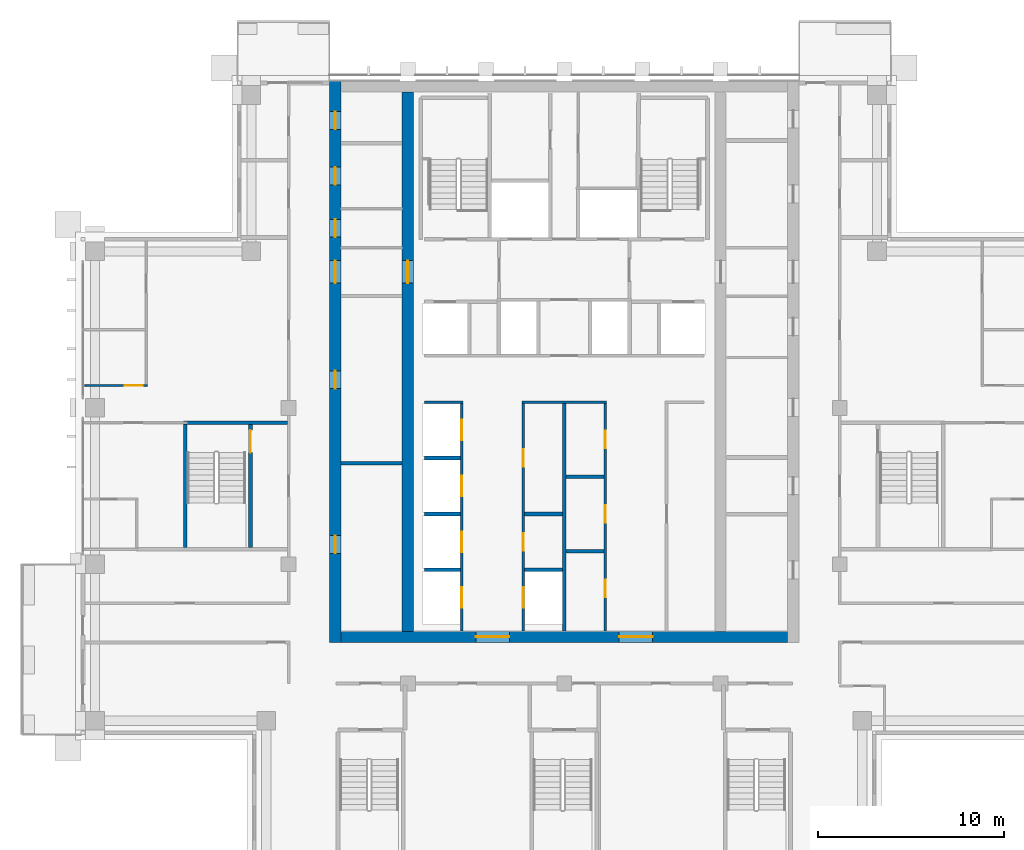
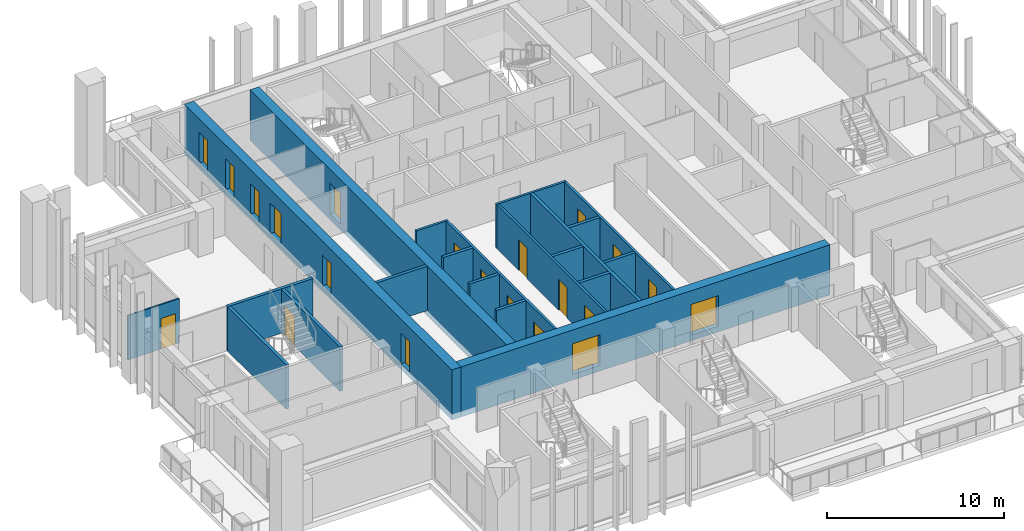
# One storey, part 9 of 18: 21 doors, 21 walls, 21 openings.
"""IFC4 building model written with IfcOpenShell, lengths in metres."""

from ifc_helpers import new_model, si_unit, direction, frame, frame_2d, origin, place, context, subcontext, project, spatial, rectangle, extrude, material, layer, layer_set, type_object, element, fill, save


model = new_model("IFC4")

# Units and contexts
model_context = context("Model", 3, precision=1e-05, world=origin(), true_north=direction((0.0, 1.0)))
body_context = subcontext(model_context, "Body", "Model", "MODEL_VIEW")
ifc_project = project(units=[si_unit("LENGTHUNIT", "METRE"), si_unit("AREAUNIT", "SQUARE_METRE"), si_unit("VOLUMEUNIT", "CUBIC_METRE"), si_unit("PLANEANGLEUNIT", "RADIAN"), si_unit("MASSUNIT", "GRAM", prefix="KILO")], contexts=[model_context])

# Site, building, storey
site_placement = place(None, origin())
site = spatial("IfcSite", under=ifc_project, at=site_placement, CompositionType="ELEMENT")
building_placement = place(site_placement, origin())
building = spatial("IfcBuilding", under=site, at=building_placement, Name="Vermilion Ogive Tower", CompositionType="ELEMENT")
storey_placement = place(building_placement, frame((0.0, 0.0, 185.89990234375)))
storey = spatial("IfcBuildingStorey", under=building, at=storey_placement, Name="L48", CompositionType="ELEMENT", Elevation=185.89990234375)

# Wall, openings, doors
ifc_material_1 = material(Name="Concrete B60", Category="concrete")
ifc_layer_1 = layer(ifc_material_1, 0.60009765625)
ifc_layer_set_1 = layer_set([ifc_layer_1], Name="Core wall 600 B60")
wall_type_1 = type_object("IfcWallType", Name="Core wall 600 B60", PredefinedType="SHEAR", material=ifc_layer_set_1)
wall_1_placement = place(storey_placement, frame((-12.300048828125, -8.39990234375, -0.39990234375), z_axis=(0.0, 0.0, 1.0), x_axis=(0.0, 1.0, 0.0)))
wall_1 = element("IfcWall", 1, at=wall_1_placement, inside=storey, type_object=wall_type_1, Name="L48-CORE-W", PredefinedType="SHEAR", context=body_context, shape_type="SweptSolid", body=[
    extrude(rectangle(XDim=30.14990234375, YDim=0.60009765625, at=frame_2d((15.074951171875, 0.0))), origin(), (0.0, 0.0, 1.0), 3.449951171875),
])
opening_1_placement = place(wall_1_placement, frame((4.78759765625, 0.0, 0.39990234375)))
opening_1 = element("IfcOpeningElement", 2, at=opening_1_placement, cuts=wall_1, Name="Opening DAD073", PredefinedType="OPENING", context=body_context, shape_type="SweptSolid", body=[
    extrude(rectangle(XDim=0.949951171875, YDim=2.10009765625, at=frame_2d((0.47509765625, 1.050048828125))), frame((0.0, 0.31005859375, 0.0), z_axis=(0.0, -1.0, 0.0), x_axis=(1.0, 0.0, 0.0)), (0.0, 0.0, 1.0), 0.6201171875),
])
opening_2_placement = place(wall_1_placement, frame((13.6376953125, 0.0, 0.39990234375)))
opening_2 = element("IfcOpeningElement", 3, at=opening_2_placement, cuts=wall_1, Name="Opening DAD074", PredefinedType="OPENING", context=body_context, shape_type="SweptSolid", body=[
    extrude(rectangle(XDim=0.949951171875, YDim=2.10009765625, at=frame_2d((0.47509765625, 1.050048828125))), frame((0.0, 0.31005859375, 0.0), z_axis=(0.0, -1.0, 0.0), x_axis=(1.0, 0.0, 0.0)), (0.0, 0.0, 1.0), 0.6201171875),
])
opening_3_placement = place(wall_1_placement, frame((21.7705078125, 0.0, 0.39990234375)))
opening_3 = element("IfcOpeningElement", 4, at=opening_3_placement, cuts=wall_1, Name="Opening DAD075", PredefinedType="OPENING", context=body_context, shape_type="SweptSolid", body=[
    extrude(rectangle(XDim=0.949951171875, YDim=2.10009765625, at=frame_2d((0.47509765625, 1.050048828125))), frame((0.0, 0.31005859375, 0.0), z_axis=(0.0, -1.0, 0.0), x_axis=(1.0, 0.0, 0.0)), (0.0, 0.0, 1.0), 0.6201171875),
])
opening_4_placement = place(wall_1_placement, frame((24.57568359375, 0.0, 0.39990234375)))
opening_4 = element("IfcOpeningElement", 5, at=opening_4_placement, cuts=wall_1, Name="Opening DAD076", PredefinedType="OPENING", context=body_context, shape_type="SweptSolid", body=[
    extrude(rectangle(XDim=0.949951171875, YDim=2.10009765625, at=frame_2d((0.47509765625, 1.050048828125))), frame((0.0, 0.31005859375, 0.0), z_axis=(0.0, -1.0, 0.0), x_axis=(1.0, 0.0, 0.0)), (0.0, 0.0, 1.0), 0.6201171875),
])
opening_5_placement = place(wall_1_placement, frame((27.555419921875, 0.0, 0.39990234375)))
opening_5 = element("IfcOpeningElement", 6, at=opening_5_placement, cuts=wall_1, Name="Opening DAD077", PredefinedType="OPENING", context=body_context, shape_type="SweptSolid", body=[
    extrude(rectangle(XDim=0.949951171875, YDim=2.10009765625, at=frame_2d((0.47509765625, 1.050048828125))), frame((0.0, 0.31005859375, 0.0), z_axis=(0.0, -1.0, 0.0), x_axis=(1.0, 0.0, 0.0)), (0.0, 0.0, 1.0), 0.6201171875),
])
opening_6_placement = place(wall_1_placement, frame((19.300048828125, 0.0, 0.39990234375)))
opening_6 = element("IfcOpeningElement", 7, at=opening_6_placement, cuts=wall_1, Name="Opening DAM019", PredefinedType="OPENING", context=body_context, shape_type="SweptSolid", body=[
    extrude(rectangle(XDim=1.199951171875, YDim=2.10009765625, at=frame_2d((0.60009765625, 1.050048828125))), frame((0.0, 0.31005859375, 0.0), z_axis=(0.0, -1.0, 0.0), x_axis=(1.0, 0.0, 0.0)), (0.0, 0.0, 1.0), 0.6201171875),
])
ifc_material_2 = material(Name="Timber door leaf", Category="wood")
door_type_1 = type_object("IfcDoorType", Name="Link door 1200 x 2100 FD60S", OperationType="SINGLE_SWING_LEFT", PredefinedType="DOOR", material=ifc_material_2)
door_1_placement = place(opening_6_placement, origin())
door_1 = element("IfcDoor", 8, at=door_1_placement, inside=storey, type_object=door_type_1, Name="L48-CKW-XL", OperationType="SINGLE_SWING_LEFT", OverallHeight=2.10009765625, OverallWidth=1.199951171875, PredefinedType="DOOR", context=body_context, shape_type="SweptSolid", body=[
    extrude(rectangle(XDim=1.199951171875, YDim=2.10009765625, at=frame_2d((0.60009765625, 1.050048828125))), frame((0.0, 0.02490234375, 0.0), z_axis=(0.0, -1.0, 0.0), x_axis=(1.0, 0.0, 0.0)), (0.0, 0.0, 1.0), 0.050048828125),
])
fill(opening_6, door_1)
ifc_material_3 = material(Name="Timber door leaf", Category="wood")
door_type_2 = type_object("IfcDoorType", Name="Service door 950 x 2100 FD60", OperationType="SINGLE_SWING_LEFT", PredefinedType="DOOR", material=ifc_material_3)
door_2_placement = place(opening_1_placement, origin())
door_2 = element("IfcDoor", 9, at=door_2_placement, inside=storey, type_object=door_type_2, Name="L48-CKW-XR0", OperationType="SINGLE_SWING_LEFT", OverallHeight=2.10009765625, OverallWidth=0.949951171875, PredefinedType="DOOR", context=body_context, shape_type="SweptSolid", body=[
    extrude(rectangle(XDim=0.949951171875, YDim=2.10009765625, at=frame_2d((0.47509765625, 1.050048828125))), frame((0.0, 0.02490234375, 0.0), z_axis=(0.0, -1.0, 0.0), x_axis=(1.0, 0.0, 0.0)), (0.0, 0.0, 1.0), 0.050048828125),
])
fill(opening_1, door_2)
door_3_placement = place(opening_2_placement, origin())
door_3 = element("IfcDoor", 10, at=door_3_placement, inside=storey, type_object=door_type_2, Name="L48-CKW-XR1", OperationType="SINGLE_SWING_LEFT", OverallHeight=2.10009765625, OverallWidth=0.949951171875, PredefinedType="DOOR", context=body_context, shape_type="SweptSolid", body=[
    extrude(rectangle(XDim=0.949951171875, YDim=2.10009765625, at=frame_2d((0.47509765625, 1.050048828125))), frame((0.0, 0.02490234375, 0.0), z_axis=(0.0, -1.0, 0.0), x_axis=(1.0, 0.0, 0.0)), (0.0, 0.0, 1.0), 0.050048828125),
])
fill(opening_2, door_3)
door_4_placement = place(opening_3_placement, origin())
door_4 = element("IfcDoor", 11, at=door_4_placement, inside=storey, type_object=door_type_2, Name="L48-CKW-XR2", OperationType="SINGLE_SWING_LEFT", OverallHeight=2.10009765625, OverallWidth=0.949951171875, PredefinedType="DOOR", context=body_context, shape_type="SweptSolid", body=[
    extrude(rectangle(XDim=0.949951171875, YDim=2.10009765625, at=frame_2d((0.47509765625, 1.050048828125))), frame((0.0, 0.02490234375, 0.0), z_axis=(0.0, -1.0, 0.0), x_axis=(1.0, 0.0, 0.0)), (0.0, 0.0, 1.0), 0.050048828125),
])
fill(opening_3, door_4)
door_5_placement = place(opening_4_placement, origin())
door_5 = element("IfcDoor", 12, at=door_5_placement, inside=storey, type_object=door_type_2, Name="L48-CKW-XR3", OperationType="SINGLE_SWING_LEFT", OverallHeight=2.10009765625, OverallWidth=0.949951171875, PredefinedType="DOOR", context=body_context, shape_type="SweptSolid", body=[
    extrude(rectangle(XDim=0.949951171875, YDim=2.10009765625, at=frame_2d((0.47509765625, 1.050048828125))), frame((0.0, 0.02490234375, 0.0), z_axis=(0.0, -1.0, 0.0), x_axis=(1.0, 0.0, 0.0)), (0.0, 0.0, 1.0), 0.050048828125),
])
fill(opening_4, door_5)
door_6_placement = place(opening_5_placement, origin())
door_6 = element("IfcDoor", 13, at=door_6_placement, inside=storey, type_object=door_type_2, Name="L48-CKW-XR4", OperationType="SINGLE_SWING_LEFT", OverallHeight=2.10009765625, OverallWidth=0.949951171875, PredefinedType="DOOR", context=body_context, shape_type="SweptSolid", body=[
    extrude(rectangle(XDim=0.949951171875, YDim=2.10009765625, at=frame_2d((0.47509765625, 1.050048828125))), frame((0.0, 0.02490234375, 0.0), z_axis=(0.0, -1.0, 0.0), x_axis=(1.0, 0.0, 0.0)), (0.0, 0.0, 1.0), 0.050048828125),
])
fill(opening_5, door_6)

wall_2_placement = place(storey_placement, frame((-12.0, -8.10009765625, -0.39990234375), z_axis=(0.0, 0.0, 1.0), x_axis=(1.0, 0.0, 0.0)))
wall_2 = element("IfcWall", 14, at=wall_2_placement, inside=storey, type_object=wall_type_1, Name="L48-CORE-S", PredefinedType="SHEAR", context=body_context, shape_type="SweptSolid", body=[
    extrude(rectangle(XDim=24.0, YDim=0.60009765625, at=frame_2d((12.0, 0.0))), origin(), (0.0, 0.0, 1.0), 3.449951171875),
])
opening_7_placement = place(wall_2_placement, frame((7.25, 0.0, 0.39990234375)))
opening_7 = element("IfcOpeningElement", 15, at=opening_7_placement, cuts=wall_2, Name="Opening DAH037", PredefinedType="OPENING", context=body_context, shape_type="SweptSolid", body=[
    extrude(rectangle(XDim=1.800048828125, YDim=2.10009765625, at=frame_2d((0.89990234375, 1.050048828125))), frame((0.0, 0.31005859375, 0.0), z_axis=(0.0, -1.0, 0.0), x_axis=(1.0, 0.0, 0.0)), (0.0, 0.0, 1.0), 0.6201171875),
])
opening_8_placement = place(wall_2_placement, frame((14.949951171875, 0.0, 0.39990234375)))
opening_8 = element("IfcOpeningElement", 16, at=opening_8_placement, cuts=wall_2, Name="Opening DAH038", PredefinedType="OPENING", context=body_context, shape_type="SweptSolid", body=[
    extrude(rectangle(XDim=1.800048828125, YDim=2.10009765625, at=frame_2d((0.89990234375, 1.050048828125))), frame((0.0, 0.31005859375, 0.0), z_axis=(0.0, -1.0, 0.0), x_axis=(1.0, 0.0, 0.0)), (0.0, 0.0, 1.0), 0.6201171875),
])
ifc_material_4 = material(Name="Timber door leaf", Category="wood")
door_type_3 = type_object("IfcDoorType", Name="Core entry door 1800 x 2100 FD60S", OperationType="DOUBLE_DOOR_SINGLE_SWING", PredefinedType="DOOR", material=ifc_material_4)
door_7_placement = place(opening_7_placement, origin())
door_7 = element("IfcDoor", 17, at=door_7_placement, inside=storey, type_object=door_type_3, Name="L48-CK-XD1", OperationType="SINGLE_SWING_LEFT", OverallHeight=2.10009765625, OverallWidth=1.800048828125, PredefinedType="DOOR", context=body_context, shape_type="SweptSolid", body=[
    extrude(rectangle(XDim=1.800048828125, YDim=2.10009765625, at=frame_2d((0.89990234375, 1.050048828125))), frame((0.0, 0.02490234375, 0.0), z_axis=(0.0, -1.0, 0.0), x_axis=(1.0, 0.0, 0.0)), (0.0, 0.0, 1.0), 0.050048828125),
])
fill(opening_7, door_7)
door_8_placement = place(opening_8_placement, origin())
door_8 = element("IfcDoor", 18, at=door_8_placement, inside=storey, type_object=door_type_3, Name="L48-CK-XD2", OperationType="SINGLE_SWING_LEFT", OverallHeight=2.10009765625, OverallWidth=1.800048828125, PredefinedType="DOOR", context=body_context, shape_type="SweptSolid", body=[
    extrude(rectangle(XDim=1.800048828125, YDim=2.10009765625, at=frame_2d((0.89990234375, 1.050048828125))), frame((0.0, 0.02490234375, 0.0), z_axis=(0.0, -1.0, 0.0), x_axis=(1.0, 0.0, 0.0)), (0.0, 0.0, 1.0), 0.050048828125),
])
fill(opening_8, door_8)

# Wall, opening, door
wall_3_placement = place(storey_placement, frame((-8.39990234375, -7.800048828125, -0.39990234375), z_axis=(0.0, 0.0, 1.0), x_axis=(0.0, 1.0, 0.0)))
wall_3 = element("IfcWall", 19, at=wall_3_placement, inside=storey, type_object=wall_type_1, Name="L48-CORE-WEB1", PredefinedType="SHEAR", context=body_context, shape_type="SweptSolid", body=[
    extrude(rectangle(XDim=28.949951171875, YDim=0.60009765625, at=frame_2d((14.47509765625, 0.0))), origin(), (0.0, 0.0, 1.0), 3.449951171875),
])
opening_9_placement = place(wall_3_placement, frame((18.699951171875, 0.0, 0.39990234375)))
opening_9 = element("IfcOpeningElement", 20, at=opening_9_placement, cuts=wall_3, Name="Opening DAP014", PredefinedType="OPENING", context=body_context, shape_type="SweptSolid", body=[
    extrude(rectangle(XDim=1.199951171875, YDim=2.10009765625, at=frame_2d((0.60009765625, 1.050048828125))), frame((0.0, 0.31005859375, 0.0), z_axis=(0.0, -1.0, 0.0), x_axis=(1.0, 0.0, 0.0)), (0.0, 0.0, 1.0), 0.6201171875),
])
door_9_placement = place(opening_9_placement, origin())
door_9 = element("IfcDoor", 21, at=door_9_placement, inside=storey, type_object=door_type_1, Name="L48-CKW-XW", OperationType="SINGLE_SWING_LEFT", OverallHeight=2.10009765625, OverallWidth=1.199951171875, PredefinedType="DOOR", context=body_context, shape_type="SweptSolid", body=[
    extrude(rectangle(XDim=1.199951171875, YDim=2.10009765625, at=frame_2d((0.60009765625, 1.050048828125))), frame((0.0, 0.02490234375, 0.0), z_axis=(0.0, -1.0, 0.0), x_axis=(1.0, 0.0, 0.0)), (0.0, 0.0, 1.0), 0.050048828125),
])
fill(opening_9, door_9)

ifc_material_5 = material(Name="Gypsum board partition on steel studs", Category="steel")
ifc_layer_2 = layer(ifc_material_5, 0.10009765625)
ifc_layer_set_2 = layer_set([ifc_layer_2], Name="Partition 100 inner")
wall_type_2 = type_object("IfcWallType", Name="Partition 100 inner", PredefinedType="PARTITIONING", material=ifc_layer_set_2)
wall_4_placement = place(storey_placement, frame((-25.75, 5.39990234375, 0.0), z_axis=(0.0, 0.0, 1.0), x_axis=(1.0, 0.0, 0.0)))
wall_4 = element("IfcWall", 22, at=wall_4_placement, inside=storey, type_object=wall_type_2, Name="L48-W-W021", PredefinedType="PARTITIONING", context=body_context, shape_type="SweptSolid", body=[
    extrude(rectangle(XDim=3.35009765625, YDim=0.10009765625, at=frame_2d((1.675048828125, 0.0))), origin(), (0.0, 0.0, 1.0), 3.050048828125),
])
opening_10_placement = place(wall_4_placement, frame((2.14990234375, 0.0, 0.0)))
opening_10 = element("IfcOpeningElement", 23, at=opening_10_placement, cuts=wall_4, Name="Opening D4G2002", PredefinedType="OPENING", context=body_context, shape_type="SweptSolid", body=[
    extrude(rectangle(XDim=0.949951171875, YDim=2.10009765625, at=frame_2d((0.47509765625, 1.050048828125))), frame((0.0, 0.06005859375, 0.0), z_axis=(0.0, -1.0, 0.0), x_axis=(1.0, 0.0, 0.0)), (0.0, 0.0, 1.0), 0.1201171875),
])
ifc_material_6 = material(Name="Timber door leaf", Category="wood")
door_type_4 = type_object("IfcDoorType", Name="Inner door 950 x 2100 FD30", OperationType="SINGLE_SWING_LEFT", PredefinedType="DOOR", material=ifc_material_6)
door_10_placement = place(opening_10_placement, origin())
door_10 = element("IfcDoor", 24, at=door_10_placement, inside=storey, type_object=door_type_4, Name="L48-D-D002", OperationType="SINGLE_SWING_RIGHT", OverallHeight=2.10009765625, OverallWidth=0.949951171875, PredefinedType="DOOR", context=body_context, shape_type="SweptSolid", body=[
    extrude(rectangle(XDim=0.949951171875, YDim=2.10009765625, at=frame_2d((0.47509765625, 1.050048828125))), frame((0.0, 0.02490234375, 0.0), z_axis=(0.0, -1.0, 0.0), x_axis=(1.0, 0.0, 0.0)), (0.0, 0.0, 1.0), 0.050048828125),
])
fill(opening_10, door_10)

# Walls
ifc_material_7 = material(Name="Gypsum board partition on steel studs", Category="steel")
ifc_layer_3 = layer(ifc_material_7, 0.14990234375)
ifc_layer_set_3 = layer_set([ifc_layer_3], Name="Partition 150 corridor")
wall_type_3 = type_object("IfcWallType", Name="Partition 150 corridor", PredefinedType="PARTITIONING", material=ifc_layer_set_3)
wall_5_placement = place(storey_placement, frame((-7.5, 4.5, 0.0), z_axis=(0.0, 0.0, 1.0), x_axis=(1.0, 0.0, 0.0)))
element("IfcWall", 25, at=wall_5_placement, inside=storey, type_object=wall_type_3, Name="L48-CK-W-W008", PredefinedType="PARTITIONING", context=body_context, shape_type="SweptSolid", body=[
    extrude(rectangle(XDim=2.074951171875, YDim=0.14990234375, at=frame_2d((1.03759765625, 0.0))), origin(), (0.0, 0.0, 1.0), 3.050048828125),
])
wall_6_placement = place(storey_placement, frame((-2.27490234375, 4.5, 0.0), z_axis=(0.0, 0.0, 1.0), x_axis=(1.0, 0.0, 0.0)))
element("IfcWall", 26, at=wall_6_placement, inside=storey, type_object=wall_type_3, Name="L48-CK-W-W009", PredefinedType="PARTITIONING", context=body_context, shape_type="SweptSolid", body=[
    extrude(rectangle(XDim=4.5498046875, YDim=0.14990234375, at=frame_2d((2.27490234375, 0.0))), origin(), (0.0, 0.0, 1.0), 3.050048828125),
])

# Wall, openings, doors
wall_7_placement = place(storey_placement, frame((-5.5, -7.799072265625, 0.0), z_axis=(0.0, 0.0, 1.0), x_axis=(0.0, 1.0, 0.0)))
wall_7 = element("IfcWall", 27, at=wall_7_placement, inside=storey, type_object=wall_type_3, Name="L48-CK-W-W020", PredefinedType="PARTITIONING", context=body_context, shape_type="SweptSolid", body=[
    extrude(rectangle(XDim=12.22412109375, YDim=0.14990234375, at=frame_2d((6.112060546875, 0.0))), origin(), (0.0, 0.0, 1.0), 3.050048828125),
])
opening_11_placement = place(wall_7_placement, frame((1.2490234375, 0.0, 0.0)))
opening_11 = element("IfcOpeningElement", 28, at=opening_11_placement, cuts=wall_7, Name="Opening DAA434", PredefinedType="OPENING", context=body_context, shape_type="SweptSolid", body=[
    extrude(rectangle(XDim=1.10009765625, YDim=2.10009765625, at=frame_2d((0.550048828125, 1.050048828125))), frame((0.0, 0.0849609375, 0.0), z_axis=(0.0, -1.0, 0.0), x_axis=(1.0, 0.0, 0.0)), (0.0, 0.0, 1.0), 0.169921875),
])
opening_12_placement = place(wall_7_placement, frame((4.2490234375, 0.0, 0.0)))
opening_12 = element("IfcOpeningElement", 29, at=opening_12_placement, cuts=wall_7, Name="Opening DAA435", PredefinedType="OPENING", context=body_context, shape_type="SweptSolid", body=[
    extrude(rectangle(XDim=1.10009765625, YDim=2.10009765625, at=frame_2d((0.550048828125, 1.050048828125))), frame((0.0, 0.0849609375, 0.0), z_axis=(0.0, -1.0, 0.0), x_axis=(1.0, 0.0, 0.0)), (0.0, 0.0, 1.0), 0.169921875),
])
opening_13_placement = place(wall_7_placement, frame((7.2490234375, 0.0, 0.0)))
opening_13 = element("IfcOpeningElement", 30, at=opening_13_placement, cuts=wall_7, Name="Opening DAA436", PredefinedType="OPENING", context=body_context, shape_type="SweptSolid", body=[
    extrude(rectangle(XDim=1.10009765625, YDim=2.10009765625, at=frame_2d((0.550048828125, 1.050048828125))), frame((0.0, 0.0849609375, 0.0), z_axis=(0.0, -1.0, 0.0), x_axis=(1.0, 0.0, 0.0)), (0.0, 0.0, 1.0), 0.169921875),
])
opening_14_placement = place(wall_7_placement, frame((10.2490234375, 0.0, 0.0)))
opening_14 = element("IfcOpeningElement", 31, at=opening_14_placement, cuts=wall_7, Name="Opening DAA437", PredefinedType="OPENING", context=body_context, shape_type="SweptSolid", body=[
    extrude(rectangle(XDim=1.10009765625, YDim=2.10009765625, at=frame_2d((0.550048828125, 1.050048828125))), frame((0.0, 0.0849609375, 0.0), z_axis=(0.0, -1.0, 0.0), x_axis=(1.0, 0.0, 0.0)), (0.0, 0.0, 1.0), 0.169921875),
])
ifc_material_8 = material(Name="Stainless steel", Category="steel")
door_type_5 = type_object("IfcDoorType", Name="Lift landing door 1100 x 2100", OperationType="SLIDING_TO_LEFT", PredefinedType="DOOR", material=ifc_material_8)
door_11_placement = place(opening_11_placement, origin())
door_11 = element("IfcDoor", 32, at=door_11_placement, inside=storey, type_object=door_type_5, Name="L48-CK-D-D001", OperationType="SLIDING_TO_LEFT", OverallHeight=2.10009765625, OverallWidth=1.10009765625, PredefinedType="DOOR", context=body_context, shape_type="SweptSolid", body=[
    extrude(rectangle(XDim=1.10009765625, YDim=2.10009765625, at=frame_2d((0.550048828125, 1.050048828125))), frame((0.0, 0.02490234375, 0.0), z_axis=(0.0, -1.0, 0.0), x_axis=(1.0, 0.0, 0.0)), (0.0, 0.0, 1.0), 0.050048828125),
])
fill(opening_11, door_11)
door_12_placement = place(opening_12_placement, origin())
door_12 = element("IfcDoor", 33, at=door_12_placement, inside=storey, type_object=door_type_5, Name="L48-CK-D-D002", OperationType="SLIDING_TO_LEFT", OverallHeight=2.10009765625, OverallWidth=1.10009765625, PredefinedType="DOOR", context=body_context, shape_type="SweptSolid", body=[
    extrude(rectangle(XDim=1.10009765625, YDim=2.10009765625, at=frame_2d((0.550048828125, 1.050048828125))), frame((0.0, 0.02490234375, 0.0), z_axis=(0.0, -1.0, 0.0), x_axis=(1.0, 0.0, 0.0)), (0.0, 0.0, 1.0), 0.050048828125),
])
fill(opening_12, door_12)
door_13_placement = place(opening_13_placement, origin())
door_13 = element("IfcDoor", 34, at=door_13_placement, inside=storey, type_object=door_type_5, Name="L48-CK-D-D003", OperationType="SLIDING_TO_LEFT", OverallHeight=2.10009765625, OverallWidth=1.10009765625, PredefinedType="DOOR", context=body_context, shape_type="SweptSolid", body=[
    extrude(rectangle(XDim=1.10009765625, YDim=2.10009765625, at=frame_2d((0.550048828125, 1.050048828125))), frame((0.0, 0.02490234375, 0.0), z_axis=(0.0, -1.0, 0.0), x_axis=(1.0, 0.0, 0.0)), (0.0, 0.0, 1.0), 0.050048828125),
])
fill(opening_13, door_13)
door_14_placement = place(opening_14_placement, origin())
door_14 = element("IfcDoor", 35, at=door_14_placement, inside=storey, type_object=door_type_5, Name="L48-CK-D-D004", OperationType="SLIDING_TO_LEFT", OverallHeight=2.10009765625, OverallWidth=1.10009765625, PredefinedType="DOOR", context=body_context, shape_type="SweptSolid", body=[
    extrude(rectangle(XDim=1.10009765625, YDim=2.10009765625, at=frame_2d((0.550048828125, 1.050048828125))), frame((0.0, 0.02490234375, 0.0), z_axis=(0.0, -1.0, 0.0), x_axis=(1.0, 0.0, 0.0)), (0.0, 0.0, 1.0), 0.050048828125),
])
fill(opening_14, door_14)

wall_8_placement = place(storey_placement, frame((-2.199951171875, -7.799072265625, 0.0), z_axis=(0.0, 0.0, 1.0), x_axis=(0.0, 1.0, 0.0)))
wall_8 = element("IfcWall", 36, at=wall_8_placement, inside=storey, type_object=wall_type_3, Name="L48-CK-W-W025", PredefinedType="PARTITIONING", context=body_context, shape_type="SweptSolid", body=[
    extrude(rectangle(XDim=12.22412109375, YDim=0.14990234375, at=frame_2d((6.112060546875, 0.0))), origin(), (0.0, 0.0, 1.0), 3.050048828125),
])
opening_15_placement = place(wall_8_placement, frame((1.2490234375, 0.0, 0.0)))
opening_15 = element("IfcOpeningElement", 37, at=opening_15_placement, cuts=wall_8, Name="Opening DAA438", PredefinedType="OPENING", context=body_context, shape_type="SweptSolid", body=[
    extrude(rectangle(XDim=1.10009765625, YDim=2.10009765625, at=frame_2d((0.550048828125, 1.050048828125))), frame((0.0, 0.0849609375, 0.0), z_axis=(0.0, -1.0, 0.0), x_axis=(1.0, 0.0, 0.0)), (0.0, 0.0, 1.0), 0.169921875),
])
opening_16_placement = place(wall_8_placement, frame((4.323974609375, 0.0, 0.0)))
opening_16 = element("IfcOpeningElement", 38, at=opening_16_placement, cuts=wall_8, Name="Opening DAA424", PredefinedType="OPENING", context=body_context, shape_type="SweptSolid", body=[
    extrude(rectangle(XDim=0.949951171875, YDim=2.10009765625, at=frame_2d((0.47509765625, 1.050048828125))), frame((0.0, 0.0849609375, 0.0), z_axis=(0.0, -1.0, 0.0), x_axis=(1.0, 0.0, 0.0)), (0.0, 0.0, 1.0), 0.169921875),
])
opening_17_placement = place(wall_8_placement, frame((8.823974609375, 0.0, 0.0)))
opening_17 = element("IfcOpeningElement", 39, at=opening_17_placement, cuts=wall_8, Name="Opening DAA425", PredefinedType="OPENING", context=body_context, shape_type="SweptSolid", body=[
    extrude(rectangle(XDim=0.949951171875, YDim=2.10009765625, at=frame_2d((0.47509765625, 1.050048828125))), frame((0.0, 0.0849609375, 0.0), z_axis=(0.0, -1.0, 0.0), x_axis=(1.0, 0.0, 0.0)), (0.0, 0.0, 1.0), 0.169921875),
])
door_15_placement = place(opening_15_placement, origin())
door_15 = element("IfcDoor", 40, at=door_15_placement, inside=storey, type_object=door_type_5, Name="L48-CK-D-D005", OperationType="SLIDING_TO_LEFT", OverallHeight=2.10009765625, OverallWidth=1.10009765625, PredefinedType="DOOR", context=body_context, shape_type="SweptSolid", body=[
    extrude(rectangle(XDim=1.10009765625, YDim=2.10009765625, at=frame_2d((0.550048828125, 1.050048828125))), frame((0.0, 0.02490234375, 0.0), z_axis=(0.0, -1.0, 0.0), x_axis=(1.0, 0.0, 0.0)), (0.0, 0.0, 1.0), 0.050048828125),
])
fill(opening_15, door_15)
door_16_placement = place(opening_16_placement, origin())
door_16 = element("IfcDoor", 41, at=door_16_placement, inside=storey, type_object=door_type_2, Name="L48-CK-D-D006", OperationType="SINGLE_SWING_RIGHT", OverallHeight=2.10009765625, OverallWidth=0.949951171875, PredefinedType="DOOR", context=body_context, shape_type="SweptSolid", body=[
    extrude(rectangle(XDim=0.949951171875, YDim=2.10009765625, at=frame_2d((0.47509765625, 1.050048828125))), frame((0.0, 0.02490234375, 0.0), z_axis=(0.0, -1.0, 0.0), x_axis=(1.0, 0.0, 0.0)), (0.0, 0.0, 1.0), 0.050048828125),
])
fill(opening_16, door_16)
door_17_placement = place(opening_17_placement, origin())
door_17 = element("IfcDoor", 42, at=door_17_placement, inside=storey, type_object=door_type_2, Name="L48-CK-D-D007", OperationType="SINGLE_SWING_LEFT", OverallHeight=2.10009765625, OverallWidth=0.949951171875, PredefinedType="DOOR", context=body_context, shape_type="SweptSolid", body=[
    extrude(rectangle(XDim=0.949951171875, YDim=2.10009765625, at=frame_2d((0.47509765625, 1.050048828125))), frame((0.0, 0.02490234375, 0.0), z_axis=(0.0, -1.0, 0.0), x_axis=(1.0, 0.0, 0.0)), (0.0, 0.0, 1.0), 0.050048828125),
])
fill(opening_17, door_17)

wall_9_placement = place(storey_placement, frame((2.199951171875, -7.799072265625, 0.0), z_axis=(0.0, 0.0, 1.0), x_axis=(0.0, 1.0, 0.0)))
wall_9 = element("IfcWall", 43, at=wall_9_placement, inside=storey, type_object=wall_type_3, Name="L48-CK-W-W032", PredefinedType="PARTITIONING", context=body_context, shape_type="SweptSolid", body=[
    extrude(rectangle(XDim=12.22412109375, YDim=0.14990234375, at=frame_2d((6.112060546875, 0.0))), origin(), (0.0, 0.0, 1.0), 3.050048828125),
])
opening_18_placement = place(wall_9_placement, frame((1.823974609375, 0.0, 0.0)))
opening_18 = element("IfcOpeningElement", 44, at=opening_18_placement, cuts=wall_9, Name="Opening DAA426", PredefinedType="OPENING", context=body_context, shape_type="SweptSolid", body=[
    extrude(rectangle(XDim=0.949951171875, YDim=2.10009765625, at=frame_2d((0.47509765625, 1.050048828125))), frame((0.0, 0.0849609375, 0.0), z_axis=(0.0, -1.0, 0.0), x_axis=(1.0, 0.0, 0.0)), (0.0, 0.0, 1.0), 0.169921875),
])
opening_19_placement = place(wall_9_placement, frame((5.823974609375, 0.0, 0.0)))
opening_19 = element("IfcOpeningElement", 45, at=opening_19_placement, cuts=wall_9, Name="Opening DAA427", PredefinedType="OPENING", context=body_context, shape_type="SweptSolid", body=[
    extrude(rectangle(XDim=0.949951171875, YDim=2.10009765625, at=frame_2d((0.47509765625, 1.050048828125))), frame((0.0, 0.0849609375, 0.0), z_axis=(0.0, -1.0, 0.0), x_axis=(1.0, 0.0, 0.0)), (0.0, 0.0, 1.0), 0.169921875),
])
opening_20_placement = place(wall_9_placement, frame((9.823974609375, 0.0, 0.0)))
opening_20 = element("IfcOpeningElement", 46, at=opening_20_placement, cuts=wall_9, Name="Opening DAA428", PredefinedType="OPENING", context=body_context, shape_type="SweptSolid", body=[
    extrude(rectangle(XDim=0.949951171875, YDim=2.10009765625, at=frame_2d((0.47509765625, 1.050048828125))), frame((0.0, 0.0849609375, 0.0), z_axis=(0.0, -1.0, 0.0), x_axis=(1.0, 0.0, 0.0)), (0.0, 0.0, 1.0), 0.169921875),
])
door_18_placement = place(opening_18_placement, origin())
door_18 = element("IfcDoor", 47, at=door_18_placement, inside=storey, type_object=door_type_2, Name="L48-CK-D-D008", OperationType="SINGLE_SWING_RIGHT", OverallHeight=2.10009765625, OverallWidth=0.949951171875, PredefinedType="DOOR", context=body_context, shape_type="SweptSolid", body=[
    extrude(rectangle(XDim=0.949951171875, YDim=2.10009765625, at=frame_2d((0.47509765625, 1.050048828125))), frame((0.0, 0.02490234375, 0.0), z_axis=(0.0, -1.0, 0.0), x_axis=(1.0, 0.0, 0.0)), (0.0, 0.0, 1.0), 0.050048828125),
])
fill(opening_18, door_18)
door_19_placement = place(opening_19_placement, origin())
door_19 = element("IfcDoor", 48, at=door_19_placement, inside=storey, type_object=door_type_2, Name="L48-CK-D-D009", OperationType="SINGLE_SWING_RIGHT", OverallHeight=2.10009765625, OverallWidth=0.949951171875, PredefinedType="DOOR", context=body_context, shape_type="SweptSolid", body=[
    extrude(rectangle(XDim=0.949951171875, YDim=2.10009765625, at=frame_2d((0.47509765625, 1.050048828125))), frame((0.0, 0.02490234375, 0.0), z_axis=(0.0, -1.0, 0.0), x_axis=(1.0, 0.0, 0.0)), (0.0, 0.0, 1.0), 0.050048828125),
])
fill(opening_19, door_19)
door_20_placement = place(opening_20_placement, origin())
door_20 = element("IfcDoor", 49, at=door_20_placement, inside=storey, type_object=door_type_2, Name="L48-CK-D-D010", OperationType="SINGLE_SWING_LEFT", OverallHeight=2.10009765625, OverallWidth=0.949951171875, PredefinedType="DOOR", context=body_context, shape_type="SweptSolid", body=[
    extrude(rectangle(XDim=0.949951171875, YDim=2.10009765625, at=frame_2d((0.47509765625, 1.050048828125))), frame((0.0, 0.02490234375, 0.0), z_axis=(0.0, -1.0, 0.0), x_axis=(1.0, 0.0, 0.0)), (0.0, 0.0, 1.0), 0.050048828125),
])
fill(opening_20, door_20)

# Walls
ifc_material_9 = material(Name="Gypsum board partition on steel studs", Category="steel")
ifc_layer_4 = layer(ifc_material_9, 0.199951171875)
ifc_layer_set_4 = layer_set([ifc_layer_4], Name="Partition 200 party")
wall_type_4 = type_object("IfcWallType", Name="Partition 200 party", PredefinedType="PARTITIONING", material=ifc_layer_set_4)
wall_10_placement = place(storey_placement, frame((-7.5, -4.5, 0.0), z_axis=(0.0, 0.0, 1.0), x_axis=(1.0, 0.0, 0.0)))
element("IfcWall", 50, at=wall_10_placement, inside=storey, type_object=wall_type_4, Name="L48-CK-W-W001", PredefinedType="PARTITIONING", context=body_context, shape_type="SweptSolid", body=[
    extrude(rectangle(XDim=1.925048828125, YDim=0.199951171875, at=frame_2d((0.96240234375, 0.0))), origin(), (0.0, 0.0, 1.0), 3.050048828125),
])
for number, where, z_axis, x_axis, name in (
    (51, (-2.125, -4.5, 0.0), (0.0, 0.0, 1.0), (1.0, 0.0, 0.0), "L48-CK-W-W002"),
    (52, (0.10009765625, -3.5, 0.0), (0.0, 0.0, 1.0), (1.0, 0.0, 0.0), "L48-CK-W-W003"),
):
    element("IfcWall", number, at=place(storey_placement, frame(where, z_axis=z_axis, x_axis=x_axis)), inside=storey, type_object=wall_type_4, Name=name, PredefinedType="PARTITIONING", context=body_context, shape_type="SweptSolid", body=[
        extrude(rectangle(XDim=2.02490234375, YDim=0.199951171875, at=frame_2d((1.012451171875, 0.0))), origin(), (0.0, 0.0, 1.0), 3.050048828125),
    ])
wall_11_placement = place(storey_placement, frame((-7.5, -1.5, 0.0), z_axis=(0.0, 0.0, 1.0), x_axis=(1.0, 0.0, 0.0)))
element("IfcWall", 53, at=wall_11_placement, inside=storey, type_object=wall_type_4, Name="L48-CK-W-W004", PredefinedType="PARTITIONING", context=body_context, shape_type="SweptSolid", body=[
    extrude(rectangle(XDim=1.925048828125, YDim=0.199951171875, at=frame_2d((0.96240234375, 0.0))), origin(), (0.0, 0.0, 1.0), 3.050048828125),
])
for number, where, z_axis, x_axis, name in (
    (54, (-2.125, -1.5, 0.0), (0.0, 0.0, 1.0), (1.0, 0.0, 0.0), "L48-CK-W-W005"),
    (55, (0.10009765625, 0.5, 0.0), (0.0, 0.0, 1.0), (1.0, 0.0, 0.0), "L48-CK-W-W006"),
):
    element("IfcWall", number, at=place(storey_placement, frame(where, z_axis=z_axis, x_axis=x_axis)), inside=storey, type_object=wall_type_4, Name=name, PredefinedType="PARTITIONING", context=body_context, shape_type="SweptSolid", body=[
        extrude(rectangle(XDim=2.02490234375, YDim=0.199951171875, at=frame_2d((1.012451171875, 0.0))), origin(), (0.0, 0.0, 1.0), 3.050048828125),
    ])
wall_12_placement = place(storey_placement, frame((-7.5, 1.5, 0.0), z_axis=(0.0, 0.0, 1.0), x_axis=(1.0, 0.0, 0.0)))
element("IfcWall", 56, at=wall_12_placement, inside=storey, type_object=wall_type_4, Name="L48-CK-W-W007", PredefinedType="PARTITIONING", context=body_context, shape_type="SweptSolid", body=[
    extrude(rectangle(XDim=1.925048828125, YDim=0.199951171875, at=frame_2d((0.96240234375, 0.0))), origin(), (0.0, 0.0, 1.0), 3.050048828125),
])
wall_13_placement = place(storey_placement, frame((0.0, -7.799072265625, 0.0), z_axis=(0.0, 0.0, 1.0), x_axis=(0.0, 1.0, 0.0)))
element("IfcWall", 57, at=wall_13_placement, inside=storey, type_object=wall_type_4, Name="L48-CK-W-W028", PredefinedType="PARTITIONING", context=body_context, shape_type="SweptSolid", body=[
    extrude(rectangle(XDim=12.22412109375, YDim=0.199951171875, at=frame_2d((6.112060546875, 0.0))), origin(), (0.0, 0.0, 1.0), 3.050048828125),
])
wall_14_placement = place(storey_placement, frame((-11.9990234375, 1.22509765625, 0.0), z_axis=(0.0, 0.0, 1.0), x_axis=(1.0, 0.0, 0.0)))
element("IfcWall", 58, at=wall_14_placement, inside=storey, type_object=wall_type_4, Name="L48-CKW-W-W001", PredefinedType="PARTITIONING", context=body_context, shape_type="SweptSolid", body=[
    extrude(rectangle(XDim=3.298095703125, YDim=0.199951171875, at=frame_2d((1.64892578125, 0.0))), origin(), (0.0, 0.0, 1.0), 3.050048828125),
])
ifc_material_10 = material(Name="Concrete B60", Category="concrete")
ifc_layer_5 = layer(ifc_material_10, 0.199951171875)
ifc_layer_set_5 = layer_set([ifc_layer_5], Name="Stair shaft wall 200 Concrete B60")
wall_type_5 = type_object("IfcWallType", Name="Stair shaft wall 200 Concrete B60", PredefinedType="SOLIDWALL", material=ifc_layer_set_5)
wall_15_placement = place(storey_placement, frame((-20.449951171875, 3.39990234375, 0.0), z_axis=(0.0, 0.0, 1.0), x_axis=(1.0, 0.0, 0.0)))
element("IfcWall", 59, at=wall_15_placement, inside=storey, type_object=wall_type_5, Name="L48-W-W018", PredefinedType="SOLIDWALL", context=body_context, shape_type="SweptSolid", body=[
    extrude(rectangle(XDim=5.574951171875, YDim=0.199951171875, at=frame_2d((2.78759765625, 0.0))), origin(), (0.0, 0.0, 1.0), 3.050048828125),
])
wall_16_placement = place(storey_placement, frame((-20.35009765625, -3.300048828125, 0.0), z_axis=(0.0, 0.0, 1.0), x_axis=(0.0, 1.0, 0.0)))
element("IfcWall", 60, at=wall_16_placement, inside=storey, type_object=wall_type_5, Name="L48-W-W031", PredefinedType="SOLIDWALL", context=body_context, shape_type="SweptSolid", body=[
    extrude(rectangle(XDim=6.60009765625, YDim=0.199951171875, at=frame_2d((3.300048828125, 0.0))), origin(), (0.0, 0.0, 1.0), 3.050048828125),
])

# Wall, opening, door
wall_17_placement = place(storey_placement, frame((-16.85009765625, -3.300048828125, 0.0), z_axis=(0.0, 0.0, 1.0), x_axis=(0.0, 1.0, 0.0)))
wall_17 = element("IfcWall", 61, at=wall_17_placement, inside=storey, type_object=wall_type_5, Name="L48-W-W032", PredefinedType="SOLIDWALL", context=body_context, shape_type="SweptSolid", body=[
    extrude(rectangle(XDim=6.60009765625, YDim=0.199951171875, at=frame_2d((3.300048828125, 0.0))), origin(), (0.0, 0.0, 1.0), 3.050048828125),
])
opening_21_placement = place(wall_17_placement, frame((5.10009765625, 0.0, 0.0)))
opening_21 = element("IfcOpeningElement", 62, at=opening_21_placement, cuts=wall_17, Name="Opening D4G2029", PredefinedType="OPENING", context=body_context, shape_type="SweptSolid", body=[
    extrude(rectangle(XDim=1.199951171875, YDim=2.10009765625, at=frame_2d((0.60009765625, 1.050048828125))), frame((0.0, 0.10986328125, 0.0), z_axis=(0.0, -1.0, 0.0), x_axis=(1.0, 0.0, 0.0)), (0.0, 0.0, 1.0), 0.219970703125),
])
ifc_material_11 = material(Name="Timber door leaf", Category="wood")
door_type_6 = type_object("IfcDoorType", Name="Stair door 1200 x 2100 FD60S", OperationType="SINGLE_SWING_LEFT", PredefinedType="DOOR", material=ifc_material_11)
door_21_placement = place(opening_21_placement, origin())
door_21 = element("IfcDoor", 63, at=door_21_placement, inside=storey, type_object=door_type_6, Name="L48-D-D029", OperationType="SINGLE_SWING_RIGHT", OverallHeight=2.10009765625, OverallWidth=1.199951171875, PredefinedType="DOOR", context=body_context, shape_type="SweptSolid", body=[
    extrude(rectangle(XDim=1.199951171875, YDim=2.10009765625, at=frame_2d((0.60009765625, 1.050048828125))), frame((0.0, 0.02490234375, 0.0), z_axis=(0.0, -1.0, 0.0), x_axis=(1.0, 0.0, 0.0)), (0.0, 0.0, 1.0), 0.050048828125),
])
fill(opening_21, door_21)

save(model, "model.ifc")
